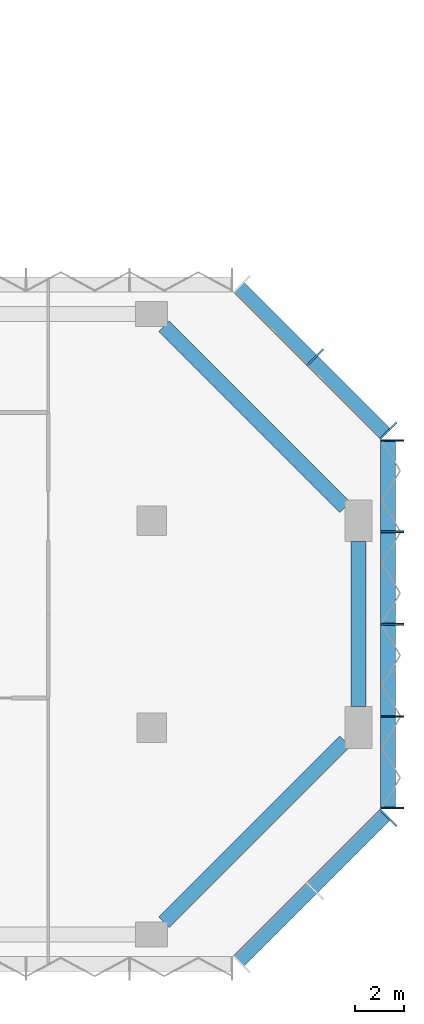
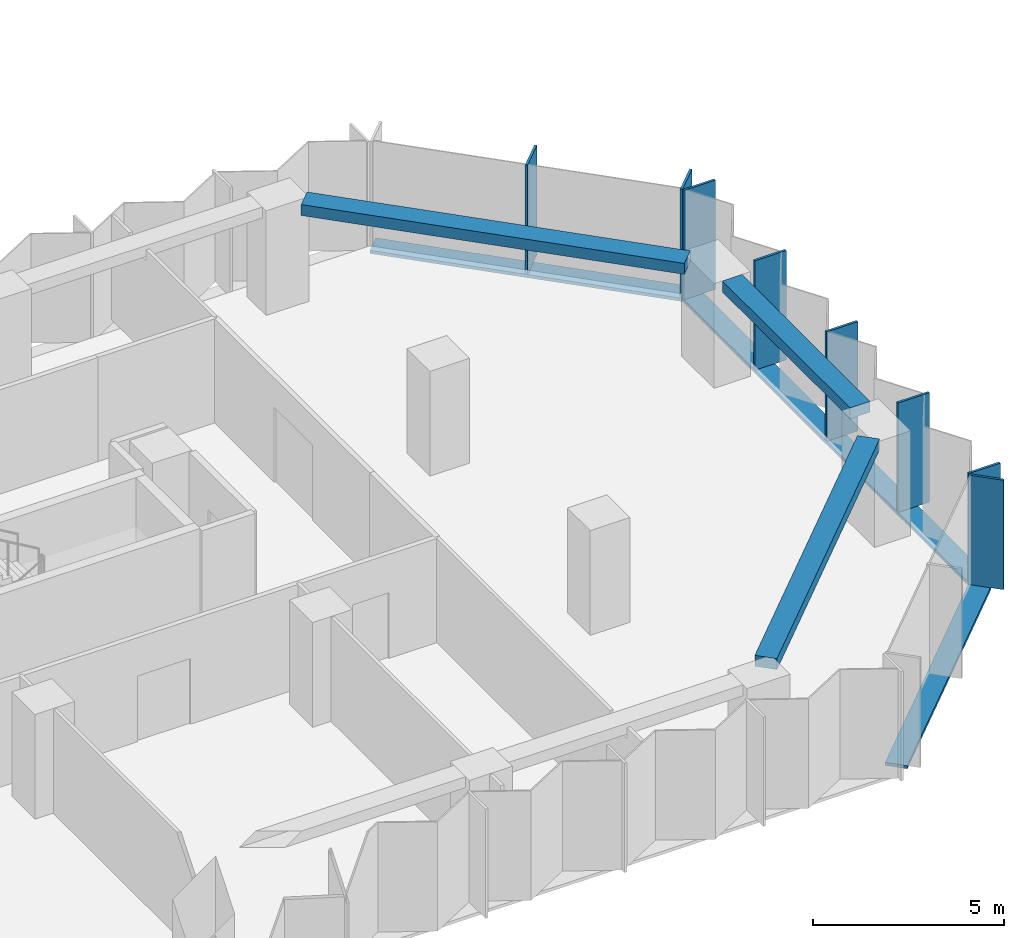
# One storey, part 4 of 13: 11 members, 3 beams, 3 elements without a shape of their own.
"""IFC4 building model written with IfcOpenShell, lengths in metres."""

from ifc_helpers import new_model, si_unit, direction, frame, origin, origin_2d, place, context, subcontext, project, spatial, rectangle, extrude, material, material_profile, profile_set, type_object, element, aggregate, save


model = new_model("IFC4")

# Units and contexts
model_context = context("Model", 3, precision=1e-05, world=origin(), true_north=direction((0.0, 1.0)))
body_context = subcontext(model_context, "Body", "Model", "MODEL_VIEW")
ifc_project = project(units=[si_unit("LENGTHUNIT", "METRE"), si_unit("AREAUNIT", "SQUARE_METRE"), si_unit("VOLUMEUNIT", "CUBIC_METRE"), si_unit("PLANEANGLEUNIT", "RADIAN"), si_unit("MASSUNIT", "GRAM", prefix="KILO")], contexts=[model_context])

# Site, building, storey
site_placement = place(None, origin())
site = spatial("IfcSite", under=ifc_project, at=site_placement, CompositionType="ELEMENT")
building_placement = place(site_placement, origin())
building = spatial("IfcBuilding", under=site, at=building_placement, Name="Brevane Broadcast Tower", CompositionType="ELEMENT")
storey_placement = place(building_placement, frame((0.0, 0.0, 113.300048828125)))
storey = spatial("IfcBuildingStorey", under=building, at=storey_placement, Name="L27", CompositionType="ELEMENT", Elevation=113.300048828125)

# Curtain wall, member
ifc_material_1 = material(Name="Aluminium 6063-T6 bronze anodised", Category="aluminium")
curtain_wall_type = type_object("IfcCurtainWallType", Name="CW-1 curtain wall", PredefinedType="NOTDEFINED", material=ifc_material_1)
curtain_wall_1_placement = place(storey_placement, origin())
curtain_wall_1 = element("IfcCurtainWall", 1, at=curtain_wall_1_placement, inside=storey, type_object=curtain_wall_type, Name="CW-1 typical tilted unit L27 south-east chamfer", PredefinedType="NOTDEFINED")
ifc_material_profile_1 = material_profile(ifc_material_1, rectangle(XDim=0.949951171875, YDim=0.070068359375, at=origin_2d()), Name="RECT 70x950")
ifc_profile_set_1 = profile_set([ifc_material_profile_1], Name="Aluminium 6063-T6 bronze anodised")
member_type_1 = type_object("IfcMemberType", Name="CW-1 mullion 70x950", PredefinedType="MULLION", material=ifc_profile_set_1)
member_1_placement = place(storey_placement, frame((68.4111328125, 4.7392578125, -0.150146484375), z_axis=(0.0, 0.0, 1.0), x_axis=(-0.707106781187, 0.707106781187, 0.0)))
member_1 = element("IfcMember", 2, at=member_1_placement, type_object=member_type_1, Name="CW-1 mullion", PredefinedType="MULLION", context=body_context, shape_type="SweptSolid", body=[
    extrude(rectangle(XDim=0.949951171875, YDim=0.070068359375, at=origin_2d()), origin(), (0.0, 0.0, 1.0), 3.5),
])

# Curtain wall, members
curtain_wall_2_placement = place(storey_placement, origin())
curtain_wall_2 = element("IfcCurtainWall", 3, at=curtain_wall_2_placement, inside=storey, type_object=curtain_wall_type, Name="CW-1 typical tilted unit L27 east end", PredefinedType="NOTDEFINED")
member_2_placement = place(storey_placement, frame((68.574951171875, 5.135009765625, -0.150146484375), z_axis=(0.0, 0.0, 1.0), x_axis=(-1.0, 0.0, 0.0)))
member_2 = element("IfcMember", 4, at=member_2_placement, type_object=member_type_1, Name="CW-1 mullion", PredefinedType="MULLION", context=body_context, shape_type="SweptSolid", body=[
    extrude(rectangle(XDim=0.949951171875, YDim=0.070068359375, at=origin_2d()), origin(), (0.0, 0.0, 1.0), 3.5),
])
member_3_placement = place(storey_placement, frame((68.574951171875, 8.85009765625, -0.150146484375), z_axis=(0.0, 0.0, 1.0), x_axis=(-1.0, 0.0, 0.0)))
member_3 = element("IfcMember", 5, at=member_3_placement, type_object=member_type_1, Name="CW-1 mullion", PredefinedType="MULLION", context=body_context, shape_type="SweptSolid", body=[
    extrude(rectangle(XDim=0.949951171875, YDim=0.070068359375, at=origin_2d()), origin(), (0.0, 0.0, 1.0), 3.5),
])
member_4_placement = place(storey_placement, frame((68.574951171875, 12.60009765625, -0.150146484375), z_axis=(0.0, 0.0, 1.0), x_axis=(-1.0, 0.0, 0.0)))
member_4 = element("IfcMember", 6, at=member_4_placement, type_object=member_type_1, Name="CW-1 mullion", PredefinedType="MULLION", context=body_context, shape_type="SweptSolid", body=[
    extrude(rectangle(XDim=0.949951171875, YDim=0.070068359375, at=origin_2d()), origin(), (0.0, 0.0, 1.0), 3.5),
])
member_5_placement = place(storey_placement, frame((68.574951171875, 16.35009765625, -0.150146484375), z_axis=(0.0, 0.0, 1.0), x_axis=(-1.0, 0.0, 0.0)))
member_5 = element("IfcMember", 7, at=member_5_placement, type_object=member_type_1, Name="CW-1 mullion", PredefinedType="MULLION", context=body_context, shape_type="SweptSolid", body=[
    extrude(rectangle(XDim=0.949951171875, YDim=0.070068359375, at=origin_2d()), origin(), (0.0, 0.0, 1.0), 3.5),
])
member_6_placement = place(storey_placement, frame((68.574951171875, 20.06494140625, -0.150146484375), z_axis=(0.0, 0.0, 1.0), x_axis=(-1.0, 0.0, 0.0)))
member_6 = element("IfcMember", 8, at=member_6_placement, type_object=member_type_1, Name="CW-1 mullion", PredefinedType="MULLION", context=body_context, shape_type="SweptSolid", body=[
    extrude(rectangle(XDim=0.949951171875, YDim=0.070068359375, at=origin_2d()), origin(), (0.0, 0.0, 1.0), 3.5),
])

curtain_wall_3_placement = place(storey_placement, origin())
curtain_wall_3 = element("IfcCurtainWall", 9, at=curtain_wall_3_placement, inside=storey, type_object=curtain_wall_type, Name="CW-1 typical tilted unit L27 north-east chamfer", PredefinedType="NOTDEFINED")
member_7_placement = place(storey_placement, frame((68.4111328125, 20.460693359375, -0.150146484375), z_axis=(0.0, 0.0, 1.0), x_axis=(-0.707106781187, -0.707106781187, 0.0)))
member_7 = element("IfcMember", 10, at=member_7_placement, type_object=member_type_1, Name="CW-1 mullion", PredefinedType="MULLION", context=body_context, shape_type="SweptSolid", body=[
    extrude(rectangle(XDim=0.949951171875, YDim=0.070068359375, at=origin_2d()), origin(), (0.0, 0.0, 1.0), 3.5),
])
member_8_placement = place(storey_placement, frame((65.435791015625, 23.435791015625, -0.150146484375), z_axis=(0.0, 0.0, 1.0), x_axis=(-0.707106781187, -0.707106781187, 0.0)))
member_8 = element("IfcMember", 11, at=member_8_placement, type_object=member_type_1, Name="CW-1 mullion", PredefinedType="MULLION", context=body_context, shape_type="SweptSolid", body=[
    extrude(rectangle(XDim=0.949951171875, YDim=0.070068359375, at=origin_2d()), origin(), (0.0, 0.0, 1.0), 3.5),
])

# Member
ifc_material_profile_2 = material_profile(ifc_material_1, rectangle(XDim=0.60009765625, YDim=0.10009765625, at=origin_2d()), Name="RECT 100x600")
ifc_profile_set_2 = profile_set([ifc_material_profile_2], Name="Aluminium 6063-T6 bronze anodised")
member_type_2 = type_object("IfcMemberType", Name="CW-1 transom 100x600", PredefinedType="USERDEFINED", material=ifc_profile_set_2)
member_9_placement = place(storey_placement, frame((62.31201171875, -1.112060546875, -0.199951171875), z_axis=(0.707106781187, 0.707106781187, 0.0), x_axis=(-0.707106781187, 0.707106781187, 0.0)))
member_9 = element("IfcMember", 12, at=member_9_placement, type_object=member_type_2, Name="CW-1 transom", ObjectType="TRANSOM", PredefinedType="USERDEFINED", context=body_context, shape_type="SweptSolid", body=[
    extrude(rectangle(XDim=0.60009765625, YDim=0.10009765625, at=origin_2d()), origin(), (0.0, 0.0, 1.0), 8.4853515625),
])

aggregate(curtain_wall_1, [member_1, member_9])

member_10_placement = place(storey_placement, frame((68.39990234375, 5.10009765625, -0.199951171875), z_axis=(0.0, 1.0, 0.0), x_axis=(-1.0, 0.0, 0.0)))
member_10 = element("IfcMember", 13, at=member_10_placement, type_object=member_type_2, Name="CW-1 transom", ObjectType="TRANSOM", PredefinedType="USERDEFINED", context=body_context, shape_type="SweptSolid", body=[
    extrude(rectangle(XDim=0.60009765625, YDim=0.10009765625, at=origin_2d()), origin(), (0.0, 0.0, 1.0), 15.0),
])

aggregate(curtain_wall_2, [member_2, member_3, member_4, member_5, member_6, member_10])

member_11_placement = place(storey_placement, frame((68.31201171875, 20.31201171875, -0.199951171875), z_axis=(-0.707106781187, 0.707106781187, 0.0), x_axis=(-0.707106781187, -0.707106781187, 0.0)))
member_11 = element("IfcMember", 14, at=member_11_placement, type_object=member_type_2, Name="CW-1 transom", ObjectType="TRANSOM", PredefinedType="USERDEFINED", context=body_context, shape_type="SweptSolid", body=[
    extrude(rectangle(XDim=0.60009765625, YDim=0.10009765625, at=origin_2d()), origin(), (0.0, 0.0, 1.0), 8.4853515625),
])

aggregate(curtain_wall_3, [member_7, member_8, member_11])

# Beams
ifc_material_2 = material(Name="Concrete C40/50", Category="concrete")
ifc_material_profile_3 = material_profile(ifc_material_2, rectangle(XDim=0.60009765625, YDim=0.35009765625, at=origin_2d()), Name="RC 600x350")
ifc_profile_set_3 = profile_set([ifc_material_profile_3], Name="Concrete C40/50")
beam_type = type_object("IfcBeamType", Name="RC SPANDREL BEAM 600x350 C40/50", PredefinedType="SPANDREL", material=ifc_profile_set_3)
beam_1_placement = place(storey_placement, frame((59.300048828125, 0.5, 3.175048828125), z_axis=(0.707095037275, 0.707118524903, 0.0), x_axis=(-0.707118524903, 0.707095037275, 0.0)))
element("IfcBeam", 15, at=beam_1_placement, inside=storey, type_object=beam_type, Name="EB1 L27-5", PredefinedType="SPANDREL", context=body_context, shape_type="SweptSolid", body=[
    extrude(rectangle(XDim=0.60009765625, YDim=0.35009765625, at=origin_2d()), origin(), (0.0, 0.0, 1.0), 10.39453125),
])
beam_2_placement = place(storey_placement, frame((67.199951171875, 9.25, 3.175048828125), z_axis=(0.0, 1.0, 0.0), x_axis=(-1.0, 0.0, 0.0)))
element("IfcBeam", 16, at=beam_2_placement, inside=storey, type_object=beam_type, Name="EB1 L27-6", PredefinedType="SPANDREL", context=body_context, shape_type="SweptSolid", body=[
    extrude(rectangle(XDim=0.60009765625, YDim=0.35009765625, at=origin_2d()), origin(), (0.0, 0.0, 1.0), 6.699951171875),
])
beam_3_placement = place(storey_placement, frame((66.64990234375, 17.35009765625, 3.175048828125), z_axis=(-0.707106781187, 0.707106781187, 0.0), x_axis=(-0.707106781187, -0.707106781187, 0.0)))
element("IfcBeam", 17, at=beam_3_placement, inside=storey, type_object=beam_type, Name="EB1 L27-7", PredefinedType="SPANDREL", context=body_context, shape_type="SweptSolid", body=[
    extrude(rectangle(XDim=0.60009765625, YDim=0.35009765625, at=origin_2d()), origin(), (0.0, 0.0, 1.0), 10.394287109375),
])

save(model, "model.ifc")
